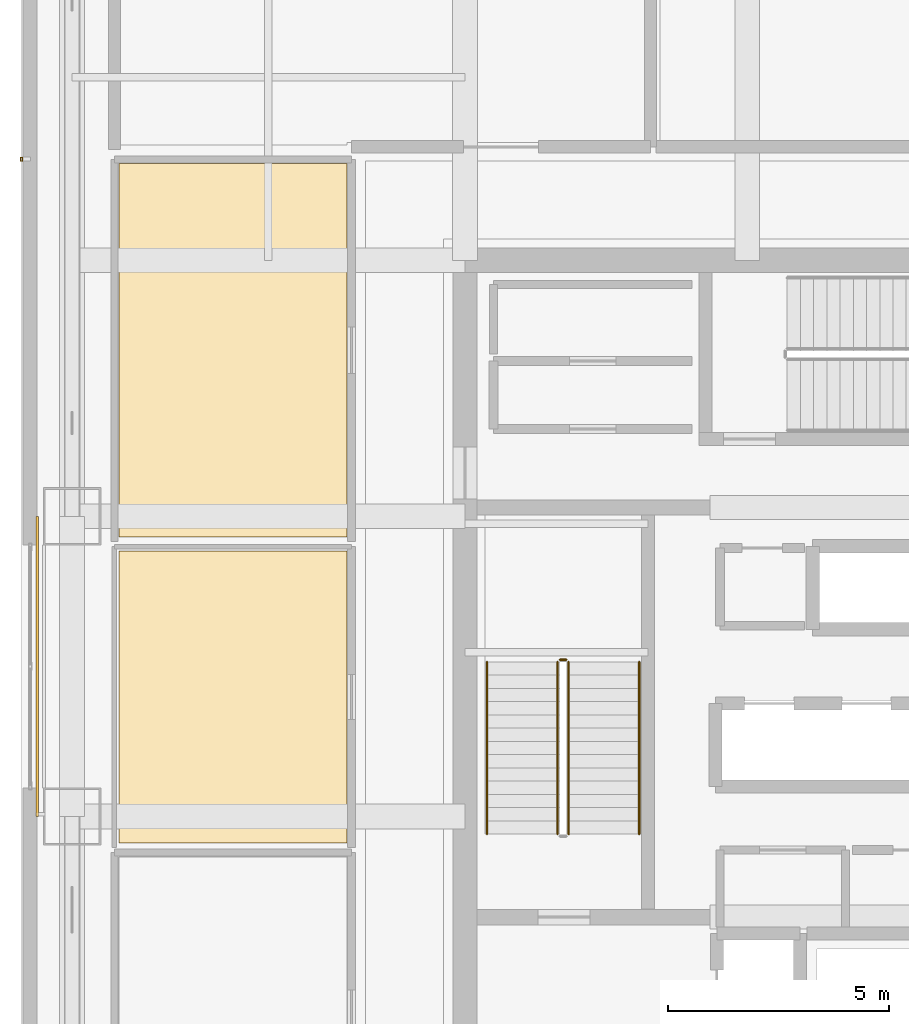
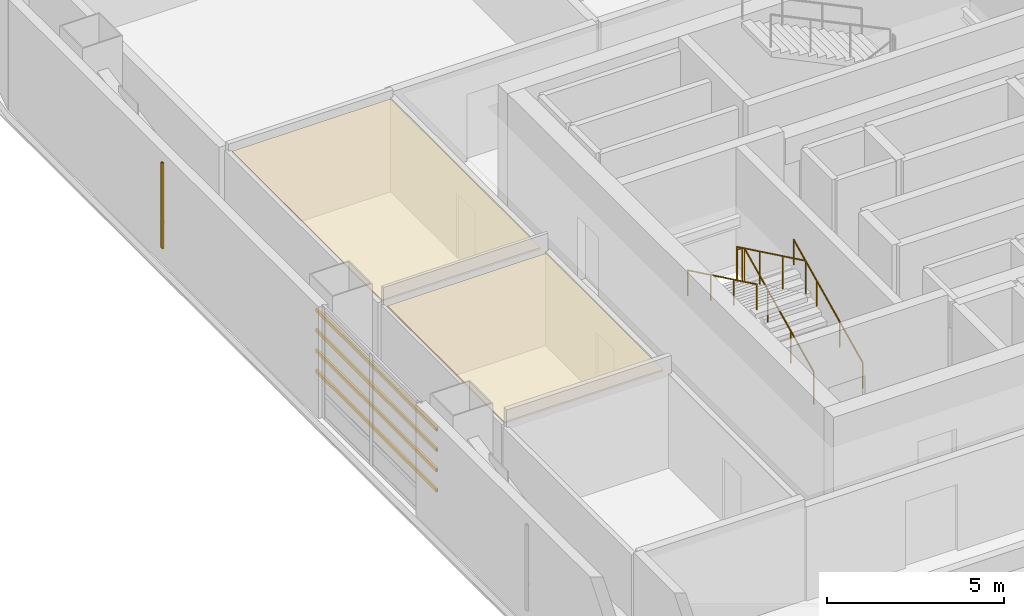
# One storey, part 24 of 30: 5 railings, 5 shading devices, 2 coverings.
"""IFC4 building model written with IfcOpenShell, lengths in metres."""

from ifc_helpers import new_model, si_unit, direction, frame, origin, origin_2d, place, context, subcontext, project, spatial, polyline, hollow_rectangle, circle, outline, extrude, material, layer, layer_set, material_profile, profile_set, type_object, element, save


model = new_model("IFC4")

# Units and contexts
model_context = context("Model", 3, precision=1e-05, world=origin(), true_north=direction((0.0, 1.0)))
body_context = subcontext(model_context, "Body", "Model", "MODEL_VIEW")
ifc_project = project(units=[si_unit("LENGTHUNIT", "METRE"), si_unit("AREAUNIT", "SQUARE_METRE"), si_unit("VOLUMEUNIT", "CUBIC_METRE"), si_unit("PLANEANGLEUNIT", "RADIAN"), si_unit("MASSUNIT", "GRAM", prefix="KILO")], contexts=[model_context])

# Site, building, storey
site_placement = place(None, origin())
site = spatial("IfcSite", under=ifc_project, at=site_placement, CompositionType="ELEMENT")
building_placement = place(site_placement, origin())
building = spatial("IfcBuilding", under=site, at=building_placement, Name="Punatoya Terracotta Tower", CompositionType="ELEMENT")
storey_placement = place(building_placement, frame((0.0, 0.0, 251.39990234375)))
storey = spatial("IfcBuildingStorey", under=building, at=storey_placement, Name="L59", CompositionType="ELEMENT", Elevation=251.39990234375)

# Coverings
ifc_material_1 = material(Name="Acoustic Mineral Fibre Ceiling")
ifc_layer = layer(ifc_material_1, 0.06005859375)
ifc_layer_set = layer_set([ifc_layer], Name="Acoustic Mineral Fibre Ceiling")
covering_type = type_object("IfcCoveringType", Name="COV-CEIL-60", PredefinedType="CEILING", material=ifc_layer_set)
covering_1_placement = place(storey_placement, frame((0.0, 0.0, 3.16015625)))
element("IfcCovering", 1, at=covering_1_placement, inside=storey, type_object=covering_type, Name="L59 Private Dining Boardroom Acoustic Ceiling", PredefinedType="CEILING", context=body_context, shape_type="SweptSolid", body=[
    extrude(outline(polyline([(-18.0400390625, 2.612060546875), (-18.0400390625, -3.998046875), (-12.8701171875, -3.998046875), (-12.8701171875, 2.612060546875), (-18.0400390625, 2.612060546875)])), origin(), (0.0, 0.0, 1.0), 0.06005859375),
])
covering_2_placement = place(storey_placement, frame((0.0, 0.0, 3.16015625)))
element("IfcCovering", 2, at=covering_2_placement, inside=storey, type_object=covering_type, Name="L59 Barista Espresso Pantry Acoustic Ceiling", PredefinedType="CEILING", context=body_context, shape_type="SweptSolid", body=[
    extrude(outline(polyline([(-18.0400390625, 11.389892578125), (-18.0400390625, 2.931884765625), (-12.8701171875, 2.931884765625), (-12.8701171875, 11.389892578125), (-18.0400390625, 11.389892578125)])), origin(), (0.0, 0.0, 1.0), 0.06005859375),
])

# Railings
ifc_material_2 = material(Name="Steel S355", Category="steel")
railing_type_1 = type_object("IfcRailingType", Name="RLG-GRD-1150", PredefinedType="GUARDRAIL", material=ifc_material_2)
railing_1_placement = place(storey_placement, frame((-7.85009765625, -3.800048828125, 0.144775390625)))
element("IfcRailing", 3, at=railing_1_placement, inside=storey, type_object=railing_type_1, Name="L59 ST-1 stair guard 1", PredefinedType="GUARDRAIL", context=body_context, shape_type="SweptSolid", body=[
    extrude(circle(Radius=0.02392578125, at=origin_2d()), frame((0.0, 0.0, 1.1259765625), z_axis=(0.0, 0.900773802044, 0.434288564841), x_axis=(-1.0, 0.0, 0.0)), (0.0, 0.0, 1.0), 4.329833984375),
    extrude(circle(Radius=0.02099609375, at=origin_2d()), origin(), (0.0, 0.0, 1.0), 1.101806640625),
    extrude(circle(Radius=0.02099609375, at=origin_2d()), frame((0.0, 1.300048828125, 0.626708984375)), (0.0, 0.0, 1.0), 1.101806640625),
    extrude(circle(Radius=0.02099609375, at=origin_2d()), frame((0.0, 2.60009765625, 1.253662109375)), (0.0, 0.0, 1.0), 1.101806640625),
    extrude(circle(Radius=0.02099609375, at=origin_2d()), frame((0.0, 3.900146484375, 1.88037109375)), (0.0, 0.0, 1.0), 1.101806640625),
])
railing_2_placement = place(storey_placement, frame((-7.89990234375, 0.14990234375, 2.025146484375)))
element("IfcRailing", 4, at=railing_2_placement, inside=storey, type_object=railing_type_1, Name="L59 ST-1 stair guard 2", PredefinedType="GUARDRAIL", context=body_context, shape_type="SweptSolid", body=[
    extrude(circle(Radius=0.02392578125, at=origin_2d()), frame((0.0, 0.0, 1.1259765625), z_axis=(-1.0, 0.0, 0.0), x_axis=(0.0, -1.0, 0.0)), (0.0, 0.0, 1.0), 0.150146484375),
    extrude(circle(Radius=0.02099609375, at=origin_2d()), origin(), (0.0, 0.0, 1.0), 1.101806640625),
    extrude(circle(Radius=0.02099609375, at=origin_2d()), frame((-0.150146484375, 0.0, 0.0)), (0.0, 0.0, 1.0), 1.101806640625),
])
railing_3_placement = place(storey_placement, frame((-8.10009765625, 0.10009765625, 2.169677734375)))
element("IfcRailing", 5, at=railing_3_placement, inside=storey, type_object=railing_type_1, Name="L59 ST-1 stair guard 3", PredefinedType="GUARDRAIL", context=body_context, shape_type="SweptSolid", body=[
    extrude(circle(Radius=0.02392578125, at=origin_2d()), frame((0.0, 0.0, 1.1259765625), z_axis=(0.0, -0.900773802044, 0.434288564841), x_axis=(1.0, 0.0, 0.0)), (0.0, 0.0, 1.0), 4.329833984375),
    extrude(circle(Radius=0.02099609375, at=origin_2d()), origin(), (0.0, 0.0, 1.0), 1.101806640625),
    extrude(circle(Radius=0.02099609375, at=origin_2d()), frame((0.0, -1.300048828125, 0.626708984375)), (0.0, 0.0, 1.0), 1.101806640625),
    extrude(circle(Radius=0.02099609375, at=origin_2d()), frame((0.0, -2.60009765625, 1.253662109375)), (0.0, 0.0, 1.0), 1.101806640625),
    extrude(circle(Radius=0.02099609375, at=origin_2d()), frame((0.0, -3.900146484375, 1.88037109375)), (0.0, 0.0, 1.0), 1.101806640625),
])
railing_type_2 = type_object("IfcRailingType", Name="RLG-HND-900", PredefinedType="HANDRAIL", material=ifc_material_2)
railing_4_placement = place(storey_placement, frame((-6.25, -3.800048828125, 0.144775390625)))
element("IfcRailing", 6, at=railing_4_placement, inside=storey, type_object=railing_type_2, Name="L59 ST-1 stair handrail 1", PredefinedType="HANDRAIL", context=body_context, shape_type="SweptSolid", body=[
    extrude(circle(Radius=0.02392578125, at=origin_2d()), frame((0.0, 0.0, 0.8759765625), z_axis=(0.0, 0.900773802044, 0.434288564841), x_axis=(-1.0, 0.0, 0.0)), (0.0, 0.0, 1.0), 4.329833984375),
    extrude(circle(Radius=0.02099609375, at=origin_2d()), origin(), (0.0, 0.0, 1.0), 0.851806640625),
    extrude(circle(Radius=0.02099609375, at=origin_2d()), frame((0.0, 1.300048828125, 0.626708984375)), (0.0, 0.0, 1.0), 0.851806640625),
    extrude(circle(Radius=0.02099609375, at=origin_2d()), frame((0.0, 2.60009765625, 1.253662109375)), (0.0, 0.0, 1.0), 0.851806640625),
    extrude(circle(Radius=0.02099609375, at=origin_2d()), frame((0.0, 3.900146484375, 1.88037109375)), (0.0, 0.0, 1.0), 0.851806640625),
])
railing_5_placement = place(storey_placement, frame((-9.699951171875, 0.10009765625, 2.169677734375)))
element("IfcRailing", 7, at=railing_5_placement, inside=storey, type_object=railing_type_2, Name="L59 ST-1 stair handrail 2", PredefinedType="HANDRAIL", context=body_context, shape_type="SweptSolid", body=[
    extrude(circle(Radius=0.02392578125, at=origin_2d()), frame((0.0, 0.0, 0.8759765625), z_axis=(0.0, -0.900773802044, 0.434288564841), x_axis=(1.0, 0.0, 0.0)), (0.0, 0.0, 1.0), 4.329833984375),
    extrude(circle(Radius=0.02099609375, at=origin_2d()), origin(), (0.0, 0.0, 1.0), 0.851806640625),
    extrude(circle(Radius=0.02099609375, at=origin_2d()), frame((0.0, -1.300048828125, 0.626708984375)), (0.0, 0.0, 1.0), 0.851806640625),
    extrude(circle(Radius=0.02099609375, at=origin_2d()), frame((0.0, -2.60009765625, 1.253662109375)), (0.0, 0.0, 1.0), 0.851806640625),
    extrude(circle(Radius=0.02099609375, at=origin_2d()), frame((0.0, -3.900146484375, 1.88037109375)), (0.0, 0.0, 1.0), 0.851806640625),
])

# Shading devices
ifc_material_3 = material(Name="Architectural Fired Terracotta", Category="masonry")
ifc_material_profile_1 = material_profile(ifc_material_3, hollow_rectangle(XDim=0.06494140625, YDim=0.1201171875, WallThickness=0.014892578125, at=origin_2d()))
ifc_profile_set_1 = profile_set([ifc_material_profile_1], Name="Architectural Fired Terracotta")
shading_device_type_1 = type_object("IfcShadingDeviceType", Name="SHD-BAG-120", PredefinedType="USERDEFINED", material=ifc_profile_set_1)
for number, where, z_axis, x_axis, name in (
    (8, (-19.889892578125, -3.39990234375, 1.150146484375), (0.0, 1.0, 0.0), (-1.0, 0.0, 0.0), "L59 Fired Terracotta Baguette Louvre BAG-L59-W-01"),
    (9, (-19.889892578125, -3.39990234375, 1.85009765625), (0.0, 1.0, 0.0), (-1.0, 0.0, 0.0), "L59 Fired Terracotta Baguette Louvre BAG-L59-W-02"),
    (10, (-19.889892578125, -3.39990234375, 2.550048828125), (0.0, 1.0, 0.0), (-1.0, 0.0, 0.0), "L59 Fired Terracotta Baguette Louvre BAG-L59-W-03"),
    (11, (-19.889892578125, -3.39990234375, 3.25), (0.0, 1.0, 0.0), (-1.0, 0.0, 0.0), "L59 Fired Terracotta Baguette Louvre BAG-L59-W-04"),
):
    element("IfcShadingDevice", number, at=place(storey_placement, frame(where, z_axis=z_axis, x_axis=x_axis)), inside=storey, type_object=shading_device_type_1, Name=name, ObjectType="BAGUETTE", PredefinedType="USERDEFINED", context=body_context, shape_type="SweptSolid", body=[
        extrude(hollow_rectangle(XDim=0.06494140625, YDim=0.1201171875, WallThickness=0.014892578125, at=origin_2d()), origin(), (0.0, 0.0, 1.0), 6.7998046875),
    ])
ifc_material_profile_2 = material_profile(ifc_material_3, hollow_rectangle(XDim=0.06005859375, YDim=0.090087890625, WallThickness=0.013916015625, at=origin_2d()))
ifc_profile_set_2 = profile_set([ifc_material_profile_2], Name="Architectural Fired Terracotta")
shading_device_type_2 = type_object("IfcShadingDeviceType", Name="SHD-JALI-90", PredefinedType="JALOUSIE", material=ifc_profile_set_2)
shading_device_placement = place(storey_placement, frame((-20.25, 11.493408203125, 0.60009765625), z_axis=(0.0, 0.0, 1.0), x_axis=(1.0, 0.0, 0.0)))
element("IfcShadingDevice", 12, at=shading_device_placement, inside=storey, type_object=shading_device_type_2, Name="L59 Braced Bay Terracotta Jali Fin W1", PredefinedType="JALOUSIE", context=body_context, shape_type="SweptSolid", body=[
    extrude(hollow_rectangle(XDim=0.06005859375, YDim=0.090087890625, WallThickness=0.013916015625, at=origin_2d()), origin(), (0.0, 0.0, 1.0), 2.949951171875),
])

save(model, "model.ifc")
